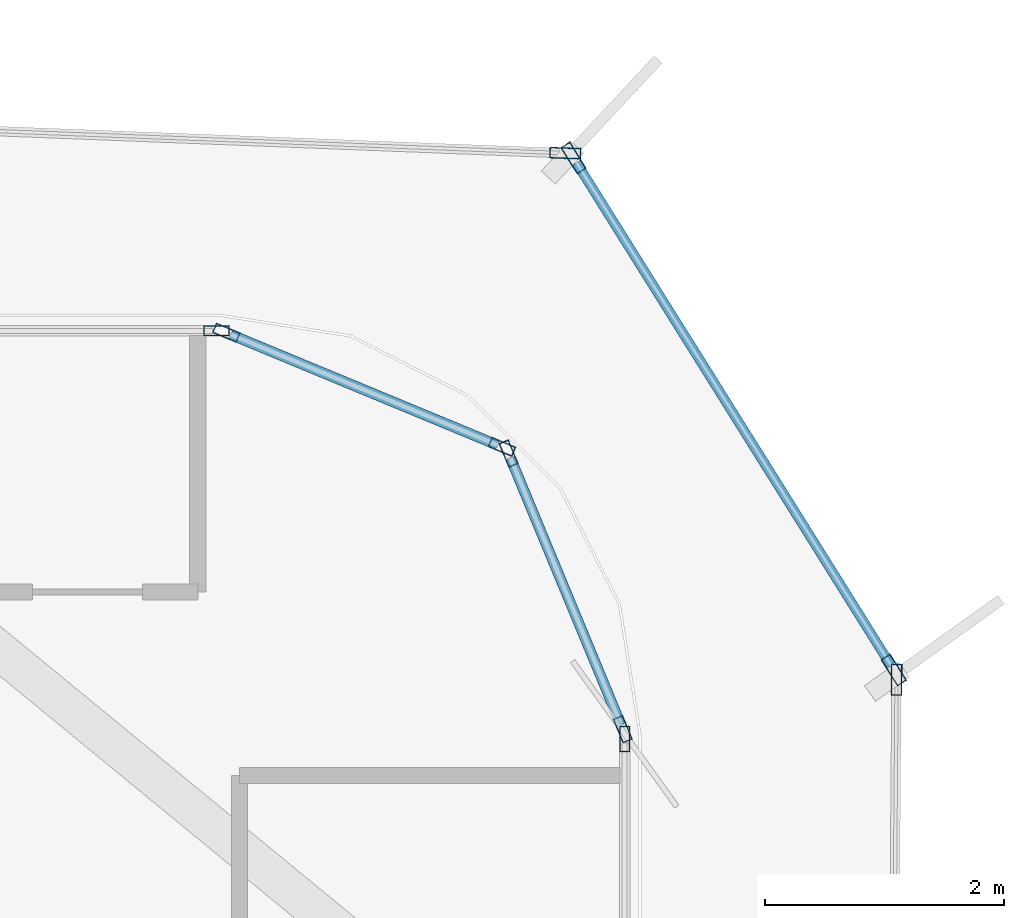
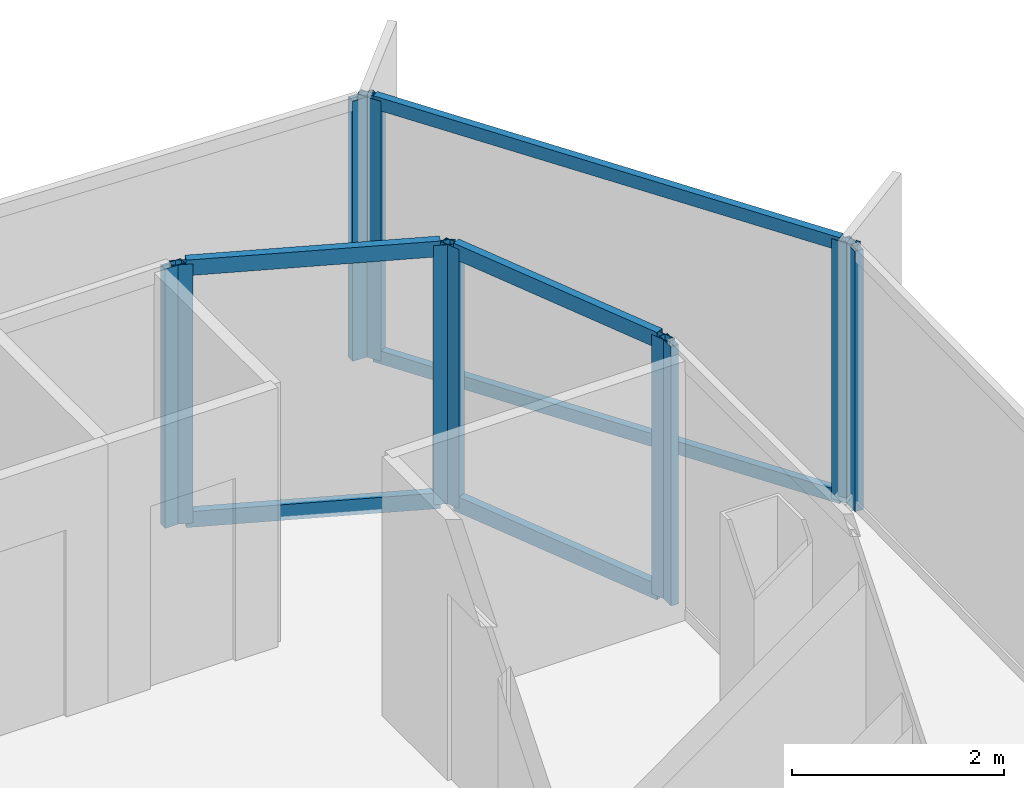
# One storey, part 8 of 15: 16 members, 7 elements without a shape of their own.
"""IFC4 building model written with IfcOpenShell, lengths in metres."""

from ifc_helpers import new_model, si_unit, direction, frame, origin, origin_2d, place, context, subcontext, project, spatial, hollow_rectangle, extrude, source, transform, mapped, material, layer, layer_set, material_profile, profile_set, type_object, element, aggregate, save


model = new_model("IFC4")

# Units and contexts
model_context = context("Model", 3, precision=1e-05, world=origin(), true_north=direction((0.0, 1.0)))
body_context = subcontext(model_context, "Body", "Model", "MODEL_VIEW")
ifc_project = project(units=[si_unit("LENGTHUNIT", "METRE"), si_unit("AREAUNIT", "SQUARE_METRE"), si_unit("VOLUMEUNIT", "CUBIC_METRE"), si_unit("PLANEANGLEUNIT", "RADIAN"), si_unit("MASSUNIT", "GRAM", prefix="KILO")], contexts=[model_context])

# Site, building, storey
site_placement = place(None, origin())
site = spatial("IfcSite", under=ifc_project, at=site_placement, CompositionType="ELEMENT")
building_placement = place(site_placement, origin())
building = spatial("IfcBuilding", under=site, at=building_placement, Name="Kolveth Station Tower", CompositionType="ELEMENT")
storey_placement = place(building_placement, frame((0.0, 0.0, 245.699951171875)))
storey = spatial("IfcBuildingStorey", under=building, at=storey_placement, Name="L70", CompositionType="ELEMENT", Elevation=245.699951171875)

# Curtain wall, member
ifc_material_1 = material(Name="Black anodized aluminium 6063-T6 and dark solar glass", Category="aluminium")
ifc_layer_1 = layer(ifc_material_1, 0.159912109375)
ifc_layer_set_1 = layer_set([ifc_layer_1], Name="Black anodized aluminium 6063-T6 and dark solar glass")
curtain_wall_type_1 = type_object("IfcCurtainWallType", Name="OUTER SKIN CW-OS", PredefinedType="NOTDEFINED", material=ifc_layer_set_1)
curtain_wall_1_placement = place(storey_placement, origin())
curtain_wall_1 = element("IfcCurtainWall", 1, at=curtain_wall_1_placement, inside=storey, type_object=curtain_wall_type_1, Name="L70 Outer Ventilated Skin Curtain Wall 2", PredefinedType="NOTDEFINED")
ifc_material_2 = material(Name="Black anodized aluminium 6063-T6", Category="aluminium")
ifc_material_profile_1 = material_profile(ifc_material_2, hollow_rectangle(XDim=0.090087890625, YDim=0.260009765625, WallThickness=0.0048828125, at=origin_2d()), Name="ALU-90x260x5")
ifc_profile_set_1 = profile_set([ifc_material_profile_1], Name="Black anodized aluminium 6063-T6")
member_type_1 = type_object("IfcMemberType", Name="FIN MULLION ML-OS", PredefinedType="MULLION", material=ifc_profile_set_1)
shared_shape_1 = source(origin(), body_context, "Body", "SweptSolid", [
    extrude(hollow_rectangle(XDim=0.090087890625, YDim=0.260009765625, WallThickness=0.0048828125, at=origin_2d()), origin(), (0.0, 0.0, 1.0), 2.989990234375),
])
member_1_placement = place(storey_placement, frame((43.959716796875, 32.253173828125, 0.0), z_axis=(0.0, 0.0, 1.0), x_axis=(-0.99996742566, 0.008071407501, 0.0)))
member_1 = element("IfcMember", 2, at=member_1_placement, type_object=member_type_1, Name="CW-OS mullion 2", PredefinedType="MULLION", context=body_context, shape_type="MappedRepresentation", body=[
    mapped(shared_shape_1, transform((0.0, 0.0, 0.0), x_axis=(1.0, 0.0, 0.0), y_axis=(0.0, 1.0, 0.0), z_axis=(0.0, 0.0, 1.0), scale=1.0)),
])
aggregate(curtain_wall_1, [member_1])

# Curtain wall, members
curtain_wall_2_placement = place(storey_placement, origin())
curtain_wall_2 = element("IfcCurtainWall", 3, at=curtain_wall_2_placement, inside=storey, type_object=curtain_wall_type_1, Name="L70 Outer Ventilated Skin Curtain Wall 3", PredefinedType="NOTDEFINED")
member_2_placement = place(storey_placement, frame((43.936279296875, 32.33642578125, 0.0), z_axis=(0.0, 0.0, 1.0), x_axis=(-0.847775852665, -0.530354696065, 0.0)))
member_2 = element("IfcMember", 4, at=member_2_placement, type_object=member_type_1, Name="CW-OS mullion 1", PredefinedType="MULLION", context=body_context, shape_type="MappedRepresentation", body=[
    mapped(shared_shape_1, transform((0.0, 0.0, 0.0), x_axis=(1.0, 0.0, 0.0), y_axis=(0.0, 1.0, 0.0), z_axis=(0.0, 0.0, 1.0), scale=1.0)),
])
member_3_placement = place(storey_placement, frame((41.250732421875, 36.629150390625, 0.0), z_axis=(0.0, 0.0, 1.0), x_axis=(-0.847775852665, -0.530354696065, 0.0)))
member_3 = element("IfcMember", 5, at=member_3_placement, type_object=member_type_1, Name="CW-OS mullion 2", PredefinedType="MULLION", context=body_context, shape_type="MappedRepresentation", body=[
    mapped(shared_shape_1, transform((0.0, 0.0, 0.0), x_axis=(1.0, 0.0, 0.0), y_axis=(0.0, 1.0, 0.0), z_axis=(0.0, 0.0, 1.0), scale=1.0)),
])

# Curtain wall, member
curtain_wall_3_placement = place(storey_placement, origin())
curtain_wall_3 = element("IfcCurtainWall", 6, at=curtain_wall_3_placement, inside=storey, type_object=curtain_wall_type_1, Name="L70 Outer Ventilated Skin Curtain Wall 4", PredefinedType="NOTDEFINED")
member_4_placement = place(storey_placement, frame((41.181884765625, 36.669189453125, 0.0), z_axis=(0.0, 0.0, 1.0), x_axis=(-0.038860922122, -0.999244629073, 0.0)))
member_4 = element("IfcMember", 7, at=member_4_placement, type_object=member_type_1, Name="CW-OS mullion 1", PredefinedType="MULLION", context=body_context, shape_type="MappedRepresentation", body=[
    mapped(shared_shape_1, transform((0.0, 0.0, 0.0), x_axis=(1.0, 0.0, 0.0), y_axis=(0.0, 1.0, 0.0), z_axis=(0.0, 0.0, 1.0), scale=1.0)),
])
aggregate(curtain_wall_3, [member_4])

ifc_material_3 = material(Name="Aluminium 6063-T6 and triple low-E dark glass", Category="aluminium")
ifc_layer_2 = layer(ifc_material_3, 0.199951171875)
ifc_layer_set_2 = layer_set([ifc_layer_2], Name="Aluminium 6063-T6 and triple low-E dark glass")
curtain_wall_type_2 = type_object("IfcCurtainWallType", Name="CurtainWall_CW-Z3", PredefinedType="NOTDEFINED", material=ifc_layer_set_2)
curtain_wall_4_placement = place(storey_placement, origin())
curtain_wall_4 = element("IfcCurtainWall", 8, at=curtain_wall_4_placement, inside=storey, type_object=curtain_wall_type_2, Name="L70 Inner Thermal Curtain Wall 3", PredefinedType="NOTDEFINED")
ifc_material_profile_2 = material_profile(ifc_material_2, hollow_rectangle(XDim=0.0849609375, YDim=0.215087890625, WallThickness=0.0048828125, at=origin_2d()), Name="ALU-85x215x5")
ifc_profile_set_2 = profile_set([ifc_material_profile_2], Name="Black anodized aluminium 6063-T6")
member_type_2 = type_object("IfcMemberType", Name="Mullion_ML3", PredefinedType="MULLION", material=ifc_profile_set_2)
shared_shape_2 = source(origin(), body_context, "Body", "SweptSolid", [
    extrude(hollow_rectangle(XDim=0.0849609375, YDim=0.215087890625, WallThickness=0.0048828125, at=origin_2d()), origin(), (0.0, 0.0, 1.0), 2.97998046875),
])
member_5_placement = place(storey_placement, frame((41.679931640625, 31.757568359375, 0.0), z_axis=(0.0, 0.0, 1.0), x_axis=(-1.0, 0.0, 0.0)))
member_5 = element("IfcMember", 9, at=member_5_placement, type_object=member_type_2, Name="CW-Z3 mullion 2", PredefinedType="MULLION", context=body_context, shape_type="MappedRepresentation", body=[
    mapped(shared_shape_2, transform((0.0, 0.0, 0.0), x_axis=(1.0, 0.0, 0.0), y_axis=(0.0, 1.0, 0.0), z_axis=(0.0, 0.0, 1.0), scale=1.0)),
])
aggregate(curtain_wall_4, [member_5])

# Curtain wall, members
curtain_wall_5_placement = place(storey_placement, origin())
curtain_wall_5 = element("IfcCurtainWall", 10, at=curtain_wall_5_placement, inside=storey, type_object=curtain_wall_type_2, Name="L70 Inner Thermal Curtain Wall 4", PredefinedType="NOTDEFINED")
member_6_placement = place(storey_placement, frame((41.663818359375, 31.83935546875, 0.0), z_axis=(0.0, 0.0, 1.0), x_axis=(-0.923875488975, -0.382693194181, 0.0)))
member_6 = element("IfcMember", 11, at=member_6_placement, type_object=member_type_2, Name="CW-Z3 mullion 1", PredefinedType="MULLION", context=body_context, shape_type="MappedRepresentation", body=[
    mapped(shared_shape_2, transform((0.0, 0.0, 0.0), x_axis=(1.0, 0.0, 0.0), y_axis=(0.0, 1.0, 0.0), z_axis=(0.0, 0.0, 1.0), scale=1.0)),
])
member_7_placement = place(storey_placement, frame((40.706298828125, 34.150634765625, 0.0), z_axis=(0.0, 0.0, 1.0), x_axis=(-0.923875488975, -0.382693194181, 0.0)))
member_7 = element("IfcMember", 12, at=member_7_placement, type_object=member_type_2, Name="CW-Z3 mullion 2", PredefinedType="MULLION", context=body_context, shape_type="MappedRepresentation", body=[
    mapped(shared_shape_2, transform((0.0, 0.0, 0.0), x_axis=(1.0, 0.0, 0.0), y_axis=(0.0, 1.0, 0.0), z_axis=(0.0, 0.0, 1.0), scale=1.0)),
])

curtain_wall_6_placement = place(storey_placement, origin())
curtain_wall_6 = element("IfcCurtainWall", 13, at=curtain_wall_6_placement, inside=storey, type_object=curtain_wall_type_2, Name="L70 Inner Thermal Curtain Wall 5", PredefinedType="NOTDEFINED")
member_8_placement = place(storey_placement, frame((40.650634765625, 34.206298828125, 0.0), z_axis=(0.0, 0.0, 1.0), x_axis=(-0.382693194181, -0.923875488975, 0.0)))
member_8 = element("IfcMember", 14, at=member_8_placement, type_object=member_type_2, Name="CW-Z3 mullion 1", PredefinedType="MULLION", context=body_context, shape_type="MappedRepresentation", body=[
    mapped(shared_shape_2, transform((0.0, 0.0, 0.0), x_axis=(1.0, 0.0, 0.0), y_axis=(0.0, 1.0, 0.0), z_axis=(0.0, 0.0, 1.0), scale=1.0)),
])
member_9_placement = place(storey_placement, frame((38.33935546875, 35.163818359375, 0.0), z_axis=(0.0, 0.0, 1.0), x_axis=(-0.382693194181, -0.923875488975, 0.0)))
member_9 = element("IfcMember", 15, at=member_9_placement, type_object=member_type_2, Name="CW-Z3 mullion 2", PredefinedType="MULLION", context=body_context, shape_type="MappedRepresentation", body=[
    mapped(shared_shape_2, transform((0.0, 0.0, 0.0), x_axis=(1.0, 0.0, 0.0), y_axis=(0.0, 1.0, 0.0), z_axis=(0.0, 0.0, 1.0), scale=1.0)),
])

# Curtain wall, member
curtain_wall_7_placement = place(storey_placement, origin())
curtain_wall_7 = element("IfcCurtainWall", 16, at=curtain_wall_7_placement, inside=storey, type_object=curtain_wall_type_2, Name="L70 Inner Thermal Curtain Wall 6", PredefinedType="NOTDEFINED")
member_10_placement = place(storey_placement, frame((38.257568359375, 35.179931640625, 0.0), z_axis=(0.0, 0.0, 1.0), x_axis=(0.0, -1.0, 0.0)))
member_10 = element("IfcMember", 17, at=member_10_placement, type_object=member_type_2, Name="CW-Z3 mullion 1", PredefinedType="MULLION", context=body_context, shape_type="MappedRepresentation", body=[
    mapped(shared_shape_2, transform((0.0, 0.0, 0.0), x_axis=(1.0, 0.0, 0.0), y_axis=(0.0, 1.0, 0.0), z_axis=(0.0, 0.0, 1.0), scale=1.0)),
])
aggregate(curtain_wall_7, [member_10])

# Member
ifc_material_profile_3 = material_profile(ifc_material_2, hollow_rectangle(XDim=0.0849609375, YDim=0.179931640625, WallThickness=0.0048828125, at=origin_2d()), Name="ALU-85x180x5")
ifc_profile_set_3 = profile_set([ifc_material_profile_3], Name="Black anodized aluminium 6063-T6")
member_type_3 = type_object("IfcMemberType", Name="Transom_TR3", PredefinedType="USERDEFINED", material=ifc_profile_set_3)
shared_shape_3 = source(origin(), body_context, "Body", "SweptSolid", [
    extrude(hollow_rectangle(XDim=0.0849609375, YDim=0.179931640625, WallThickness=0.0048828125, at=origin_2d()), origin(), (0.0, 0.0, 1.0), 2.417236328125),
])
member_11_placement = place(storey_placement, frame((41.6474609375, 31.87841796875, 0.04248046875), z_axis=(-0.382699687013, 0.923872799448, 0.0), x_axis=(-0.923872799448, -0.382699687013, 0.0)))
member_11 = element("IfcMember", 18, at=member_11_placement, type_object=member_type_3, Name="CW-Z3 transom 1.1", ObjectType="TRANSOM", PredefinedType="USERDEFINED", context=body_context, shape_type="MappedRepresentation", body=[
    mapped(shared_shape_3, transform((0.0, 0.0, 0.0), x_axis=(1.0, 0.0, 0.0), y_axis=(0.0, 1.0, 0.0), z_axis=(0.0, 0.0, 1.0), scale=1.0)),
])

member_12_placement = place(storey_placement, frame((41.6474609375, 31.87841796875, 2.9375), z_axis=(-0.382699687013, 0.923872799448, 0.0), x_axis=(-0.923872799448, -0.382699687013, 0.0)))
member_12 = element("IfcMember", 19, at=member_12_placement, type_object=member_type_3, Name="CW-Z3 transom 1.2", ObjectType="TRANSOM", PredefinedType="USERDEFINED", context=body_context, shape_type="MappedRepresentation", body=[
    mapped(shared_shape_3, transform((0.0, 0.0, 0.0), x_axis=(1.0, 0.0, 0.0), y_axis=(0.0, 1.0, 0.0), z_axis=(0.0, 0.0, 1.0), scale=1.0)),
])

aggregate(curtain_wall_5, [member_6, member_7, member_11, member_12])

member_13_placement = place(storey_placement, frame((40.611572265625, 34.222412109375, 0.04248046875), z_axis=(-0.923872799448, 0.382699687013, 0.0), x_axis=(-0.382699687013, -0.923872799448, 0.0)))
member_13 = element("IfcMember", 20, at=member_13_placement, type_object=member_type_3, Name="CW-Z3 transom 1.1", ObjectType="TRANSOM", PredefinedType="USERDEFINED", context=body_context, shape_type="MappedRepresentation", body=[
    mapped(shared_shape_3, transform((0.0, 0.0, 0.0), x_axis=(1.0, 0.0, 0.0), y_axis=(0.0, 1.0, 0.0), z_axis=(0.0, 0.0, 1.0), scale=1.0)),
])

member_14_placement = place(storey_placement, frame((40.611572265625, 34.222412109375, 2.9375), z_axis=(-0.923872799448, 0.382699687013, 0.0), x_axis=(-0.382699687013, -0.923872799448, 0.0)))
member_14 = element("IfcMember", 21, at=member_14_placement, type_object=member_type_3, Name="CW-Z3 transom 1.2", ObjectType="TRANSOM", PredefinedType="USERDEFINED", context=body_context, shape_type="MappedRepresentation", body=[
    mapped(shared_shape_3, transform((0.0, 0.0, 0.0), x_axis=(1.0, 0.0, 0.0), y_axis=(0.0, 1.0, 0.0), z_axis=(0.0, 0.0, 1.0), scale=1.0)),
])

aggregate(curtain_wall_6, [member_8, member_9, member_13, member_14])

ifc_material_profile_4 = material_profile(ifc_material_2, hollow_rectangle(XDim=0.080078125, YDim=0.14990234375, WallThickness=0.0048828125, at=origin_2d()), Name="ALU-80x150x5")
ifc_profile_set_4 = profile_set([ifc_material_profile_4], Name="Black anodized aluminium 6063-T6")
member_type_4 = type_object("IfcMemberType", Name="Transom_TR-OS", PredefinedType="USERDEFINED", material=ifc_profile_set_4)
shared_shape_4 = source(origin(), body_context, "Body", "SweptSolid", [
    extrude(hollow_rectangle(XDim=0.080078125, YDim=0.14990234375, WallThickness=0.0048828125, at=origin_2d()), origin(), (0.0, 0.0, 1.0), 4.9736328125),
])
member_15_placement = place(storey_placement, frame((43.912353515625, 32.37451171875, 0.0400390625), z_axis=(-0.53033864742, 0.847785892224, 0.0), x_axis=(-0.847785892224, -0.53033864742, 0.0)))
member_15 = element("IfcMember", 22, at=member_15_placement, type_object=member_type_4, Name="CW-OS transom 1.1", ObjectType="TRANSOM", PredefinedType="USERDEFINED", context=body_context, shape_type="MappedRepresentation", body=[
    mapped(shared_shape_4, transform((0.0, 0.0, 0.0), x_axis=(1.0, 0.0, 0.0), y_axis=(0.0, 1.0, 0.0), z_axis=(0.0, 0.0, 1.0), scale=1.0)),
])

member_16_placement = place(storey_placement, frame((43.912353515625, 32.37451171875, 2.949951171875), z_axis=(-0.53033864742, 0.847785892224, 0.0), x_axis=(-0.847785892224, -0.53033864742, 0.0)))
member_16 = element("IfcMember", 23, at=member_16_placement, type_object=member_type_4, Name="CW-OS transom 1.2", ObjectType="TRANSOM", PredefinedType="USERDEFINED", context=body_context, shape_type="MappedRepresentation", body=[
    mapped(shared_shape_4, transform((0.0, 0.0, 0.0), x_axis=(1.0, 0.0, 0.0), y_axis=(0.0, 1.0, 0.0), z_axis=(0.0, 0.0, 1.0), scale=1.0)),
])

aggregate(curtain_wall_2, [member_2, member_3, member_15, member_16])

save(model, "model.ifc")
